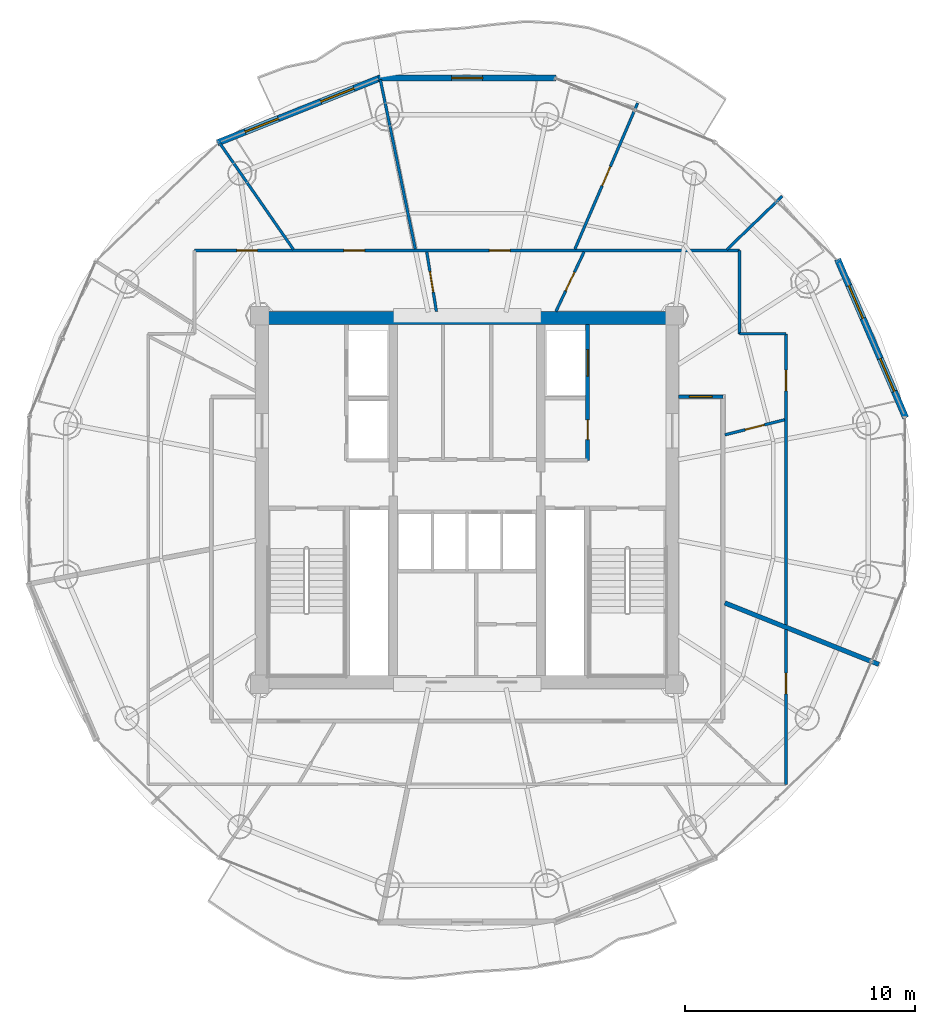
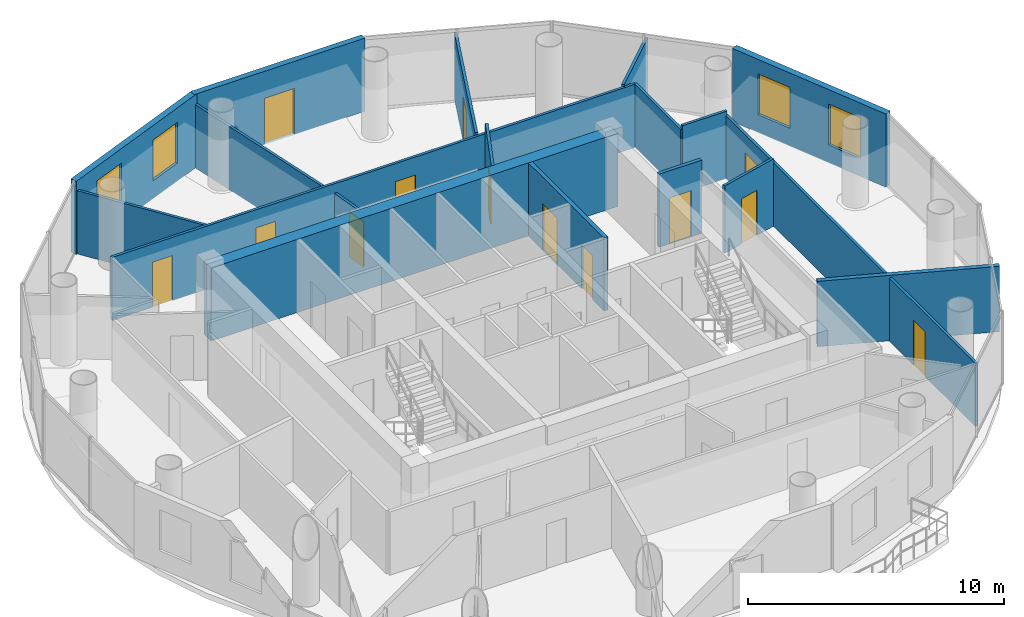
# One storey, part 19 of 23: 19 walls, 13 doors, 4 windows, 17 openings.
"""IFC4 building model written with IfcOpenShell, lengths in metres."""

from ifc_helpers import new_model, si_unit, direction, frame, frame_2d, origin, place, context, subcontext, project, spatial, rectangle, extrude, source, transform, mapped, material, layer, layer_set, type_object, element, fill, save


model = new_model("IFC4")

# Units and contexts
model_context = context("Model", 3, precision=1e-05, world=origin(), true_north=direction((-0.2419218956, 0.970295726276)))
body_context = subcontext(model_context, "Body", "Model", "MODEL_VIEW")
ifc_project = project(units=[si_unit("LENGTHUNIT", "METRE"), si_unit("AREAUNIT", "SQUARE_METRE"), si_unit("VOLUMEUNIT", "CUBIC_METRE"), si_unit("PLANEANGLEUNIT", "RADIAN"), si_unit("MASSUNIT", "GRAM", prefix="KILO")], contexts=[model_context])

# Site, building, storey
site_placement = place(None, origin())
site = spatial("IfcSite", under=ifc_project, at=site_placement, CompositionType="ELEMENT")
building_placement = place(site_placement, origin())
building = spatial("IfcBuilding", under=site, at=building_placement, Name="Cobrevalo Terracotta Tower", CompositionType="ELEMENT")
storey_placement = place(building_placement, frame((0.0, 0.0, 248.199951171875)))
storey = spatial("IfcBuildingStorey", under=building, at=storey_placement, Name="L65", CompositionType="ELEMENT", Elevation=248.199951171875)

# Wall
ifc_material_1 = material(Name="Concrete C50", Category="concrete")
ifc_layer_1 = layer(ifc_material_1, 0.550048828125)
ifc_layer_set_1 = layer_set([ifc_layer_1], Name="Concrete C50")
wall_type_1 = type_object("IfcWallType", Name="Core shear wall 550 mm Concrete C50", PredefinedType="SHEAR", material=ifc_layer_set_1)
wall_1_placement = place(storey_placement, frame((28.824951171875, 34.699951171875, 0.0), z_axis=(0.0, 0.0, 1.0), x_axis=(1.0, 0.0, 0.0)))
element("IfcWall", 1, at=wall_1_placement, inside=storey, type_object=wall_type_1, Name="L65 north core shear wall", PredefinedType="SHEAR", context=body_context, shape_type="SweptSolid", body=[
    extrude(rectangle(XDim=18.35009765625, YDim=0.550048828125, at=frame_2d((9.175048828125, 0.0))), origin(), (0.0, 0.0, 1.0), 3.489990234375),
])

# Wall, opening, door
ifc_material_2 = material(Name="Gypsum board on steel stud", Category="steel")
ifc_layer_2 = layer(ifc_material_2, 0.159912109375)
ifc_layer_set_2 = layer_set([ifc_layer_2], Name="Gypsum board on steel stud")
wall_type_2 = type_object("IfcWallType", Name="Fire-rated corridor acoustic partition wall 160 mm", PredefinedType="PARTITIONING", material=ifc_layer_set_2)
wall_2_placement = place(storey_placement, frame((47.175048828125, 31.280029296875, 0.0), z_axis=(0.0, 0.0, 1.0), x_axis=(1.0, 0.0, 0.0)))
wall_2 = element("IfcWall", 2, at=wall_2_placement, inside=storey, type_object=wall_type_2, Name="L65 interior partition IW-L65-COR-EN-CAP", PredefinedType="PARTITIONING", context=body_context, shape_type="SweptSolid", body=[
    extrude(rectangle(XDim=1.929931640625, YDim=0.159912109375, at=frame_2d((0.96484375, 0.0))), origin(), (0.0, 0.0, 1.0), 3.489990234375),
])
opening_1_placement = place(wall_2_placement, frame((0.47509765625, 0.0, 0.0)))
opening_1 = element("IfcOpeningElement", 3, at=opening_1_placement, cuts=wall_2, Name="Opening ID-05", PredefinedType="OPENING", context=body_context, shape_type="SweptSolid", body=[
    extrude(rectangle(XDim=0.97998046875, YDim=2.199951171875, at=frame_2d((0.489990234375, 1.10009765625))), frame((0.0, 0.08984375, 0.0), z_axis=(0.0, -1.0, 0.0), x_axis=(1.0, 0.0, 0.0)), (0.0, 0.0, 1.0), 0.179931640625),
])
ifc_material_3 = material(Name="Solid hardwood timber", Category="wood")
door_type_1 = type_object("IfcDoorType", Name="Residence entrance fire-rated acoustic timber door 980x2200 EI 60", OperationType="NOTDEFINED", PredefinedType="DOOR", material=ifc_material_3)
shared_shape_1 = source(origin(), body_context, "Body", "SweptSolid", [
    extrude(rectangle(XDim=0.97998046875, YDim=2.199951171875, at=frame_2d((0.489990234375, 1.10009765625))), frame((0.0, 0.02490234375, 0.0), z_axis=(0.0, -1.0, 0.0), x_axis=(1.0, 0.0, 0.0)), (0.0, 0.0, 1.0), 0.050048828125),
])
door_1_placement = place(opening_1_placement, origin())
door_1 = element("IfcDoor", 4, at=door_1_placement, inside=storey, type_object=door_type_1, Name="Flat L65A fire-rated apartment entrance door", OperationType="SINGLE_SWING_LEFT", OverallHeight=2.199951171875, OverallWidth=0.97998046875, PredefinedType="DOOR", context=body_context, shape_type="MappedRepresentation", body=[
    mapped(shared_shape_1, transform((0.0, 0.0, 0.0), scale=1.0)),
])
fill(opening_1, door_1)

# Wall, openings, doors
ifc_layer_3 = layer(ifc_material_2, 0.179931640625)
ifc_layer_set_3 = layer_set([ifc_layer_3], Name="Gypsum board on steel stud")
wall_type_3 = type_object("IfcWallType", Name="Fire-rated shaft & lobby acoustic partition wall 180 mm", PredefinedType="PARTITIONING", material=ifc_layer_set_3)
wall_3_placement = place(storey_placement, frame((43.22998046875, 28.52001953125, 0.0), z_axis=(0.0, 0.0, 1.0), x_axis=(0.0, 1.0, 0.0)))
wall_3 = element("IfcWall", 5, at=wall_3_placement, inside=storey, type_object=wall_type_3, Name="L65 interior partition IW-L65-FF2-E", PredefinedType="PARTITIONING", context=body_context, shape_type="SweptSolid", body=[
    extrude(rectangle(XDim=5.905029296875, YDim=0.179931640625, at=frame_2d((2.95263671875, 0.0))), origin(), (0.0, 0.0, 1.0), 3.489990234375),
])
opening_2_placement = place(wall_3_placement, frame((0.905029296875, 0.0, 0.0)))
opening_2 = element("IfcOpeningElement", 6, at=opening_2_placement, cuts=wall_3, Name="Opening ID-22", PredefinedType="OPENING", context=body_context, shape_type="SweptSolid", body=[
    extrude(rectangle(XDim=0.85009765625, YDim=2.10009765625, at=frame_2d((0.425048828125, 1.050048828125))), frame((0.0, 0.10009765625, 0.0), z_axis=(0.0, -1.0, 0.0), x_axis=(1.0, 0.0, 0.0)), (0.0, 0.0, 1.0), 0.199951171875),
])
opening_3_placement = place(wall_3_placement, frame((3.655029296875, 0.0, 0.0)))
opening_3 = element("IfcOpeningElement", 7, at=opening_3_placement, cuts=wall_3, Name="Opening LD-02", PredefinedType="OPENING", context=body_context, shape_type="SweptSolid", body=[
    extrude(rectangle(XDim=1.14990234375, YDim=2.199951171875, at=frame_2d((0.574951171875, 1.10009765625))), frame((0.0, 0.10009765625, 0.0), z_axis=(0.0, -1.0, 0.0), x_axis=(1.0, 0.0, 0.0)), (0.0, 0.0, 1.0), 0.199951171875),
])
ifc_material_4 = material(Name="Powder-coated steel", Category="steel")
door_type_2 = type_object("IfcDoorType", Name="Riser shaft & meter closet fire access door 850x2100 EI 60", OperationType="NOTDEFINED", PredefinedType="DOOR", material=ifc_material_4)
shared_shape_2 = source(origin(), body_context, "Body", "SweptSolid", [
    extrude(rectangle(XDim=0.85009765625, YDim=2.10009765625, at=frame_2d((0.425048828125, 1.050048828125))), frame((0.0, 0.02490234375, 0.0), z_axis=(0.0, -1.0, 0.0), x_axis=(1.0, 0.0, 0.0)), (0.0, 0.0, 1.0), 0.050048828125),
])
door_2_placement = place(opening_2_placement, frame((0.85009765625, 0.0, 0.0), z_axis=(0.0, 0.0, 1.0), x_axis=(-1.0, 0.0, 0.0)))
door_2 = element("IfcDoor", 8, at=door_2_placement, inside=storey, type_object=door_type_2, Name="L65 housekeeping store door", OperationType="SINGLE_SWING_RIGHT", OverallHeight=2.10009765625, OverallWidth=0.85009765625, PredefinedType="DOOR", context=body_context, shape_type="MappedRepresentation", body=[
    mapped(shared_shape_2, transform((0.0, 0.0, 0.0), scale=1.0)),
])
fill(opening_2, door_2)
ifc_material_5 = material(Name="Brushed stainless steel", Category="steel")
door_type_3 = type_object("IfcDoorType", Name="Firefighting lift landing bi-parting sliding door 1150x2200 EI 120", OperationType="DOUBLE_DOOR_SLIDING", PredefinedType="DOOR", material=ifc_material_5)
shared_shape_3 = source(origin(), body_context, "Body", "SweptSolid", [
    extrude(rectangle(XDim=1.14990234375, YDim=2.199951171875, at=frame_2d((0.574951171875, 1.10009765625))), frame((0.0, 0.02490234375, 0.0), z_axis=(0.0, -1.0, 0.0), x_axis=(1.0, 0.0, 0.0)), (0.0, 0.0, 1.0), 0.050048828125),
])
door_3_placement = place(opening_3_placement, origin())
door_3 = element("IfcDoor", 9, at=door_3_placement, inside=storey, type_object=door_type_3, Name="L65 lift landing door FF-2", OperationType="DOUBLE_DOOR_SLIDING", OverallHeight=2.199951171875, OverallWidth=1.14990234375, PredefinedType="DOOR", context=body_context, shape_type="MappedRepresentation", body=[
    mapped(shared_shape_3, transform((0.0, 0.0, 0.0), scale=1.0)),
])
fill(opening_3, door_3)

# Wall
ifc_material_6 = material(Name="Autoclaved aerated concrete block", Category="concrete")
ifc_layer_4 = layer(ifc_material_6, 0.199951171875)
ifc_layer_set_4 = layer_set([ifc_layer_4], Name="Autoclaved aerated concrete block")
wall_type_4 = type_object("IfcWallType", Name="Fire-rated stair, shaft & demising masonry wall 200 mm", PredefinedType="PARTITIONING", material=ifc_layer_set_4)
wall_4_placement = place(storey_placement, frame((49.18505859375, 22.334228515625, 0.0), z_axis=(0.0, 0.0, 1.0), x_axis=(0.928710518269, -0.370805573389, 0.0)))
element("IfcWall", 10, at=wall_4_placement, inside=storey, type_object=wall_type_4, Name="L65 interior partition IW-L65-DEM-1", PredefinedType="PARTITIONING", context=body_context, shape_type="SweptSolid", body=[
    extrude(rectangle(XDim=7.195068359375, YDim=0.199951171875, at=frame_2d((3.59765625, 0.0))), origin(), (0.0, 0.0, 1.0), 3.12109375),
])

# Wall, openings, windows
ifc_layer_5 = layer(ifc_material_6, 0.280029296875)
ifc_layer_set_5 = layer_set([ifc_layer_5], Name="Autoclaved aerated concrete block")
wall_type_5 = type_object("IfcWallType", Name="Insulated tower spandrel & pier wall 280 mm with terracotta rainscreen", PredefinedType="SOLIDWALL", material=ifc_layer_set_5)
wall_5_placement = place(storey_placement, frame((57.029296875, 30.368896484375, 0.0), z_axis=(0.0, 0.0, 1.0), x_axis=(-0.394816612978, 0.918759948037, 0.0)))
wall_5 = element("IfcWall", 11, at=wall_5_placement, inside=storey, type_object=wall_type_5, Name="L65 terracotta rainscreen pier wall S01", PredefinedType="SOLIDWALL", context=body_context, shape_type="SweptSolid", body=[
    extrude(rectangle(XDim=7.4853515625, YDim=0.280029296875, at=frame_2d((3.74267578125, 0.0))), origin(), (0.0, 0.0, 1.0), 3.489990234375),
])
opening_4_placement = place(wall_5_placement, frame((1.24609375, 0.0, 0.85009765625)))
opening_4 = element("IfcOpeningElement", 12, at=opening_4_placement, cuts=wall_5, Name="Opening WN-12", PredefinedType="OPENING", context=body_context, shape_type="SweptSolid", body=[
    extrude(rectangle(XDim=1.550048828125, YDim=1.949951171875, at=frame_2d((0.77490234375, 0.97509765625))), frame((0.0, 0.14990234375, 0.0), z_axis=(0.0, -1.0, 0.0), x_axis=(1.0, 0.0, 0.0)), (0.0, 0.0, 1.0), 0.300048828125),
])
opening_5_placement = place(wall_5_placement, frame((4.689208984375, 0.0, 0.85009765625)))
opening_5 = element("IfcOpeningElement", 13, at=opening_5_placement, cuts=wall_5, Name="Opening WN-12", PredefinedType="OPENING", context=body_context, shape_type="SweptSolid", body=[
    extrude(rectangle(XDim=1.550048828125, YDim=1.949951171875, at=frame_2d((0.77490234375, 0.97509765625))), frame((0.0, 0.14990234375, 0.0), z_axis=(0.0, -1.0, 0.0), x_axis=(1.0, 0.0, 0.0)), (0.0, 0.0, 1.0), 0.300048828125),
])
ifc_material_7 = material(Name="Solar-control low-E double glazing", Category="glass")
window_type = type_object("IfcWindowType", Name="Solar-control low-E aluminium window 1550x1950", PartitioningType="SINGLE_PANEL", PredefinedType="WINDOW", material=ifc_material_7)
shared_shape_4 = source(origin(), body_context, "Body", "SweptSolid", [
    extrude(rectangle(XDim=1.550048828125, YDim=1.949951171875, at=frame_2d((0.77490234375, 0.97509765625))), frame((0.0, 0.030029296875, 0.0), z_axis=(0.0, -1.0, 0.0), x_axis=(1.0, 0.0, 0.0)), (0.0, 0.0, 1.0), 0.06005859375),
])
window_1_placement = place(opening_4_placement, origin())
window_1 = element("IfcWindow", 14, at=window_1_placement, inside=storey, type_object=window_type, Name="L65 suite window S01A", OverallHeight=1.949951171875, OverallWidth=1.550048828125, PartitioningType="SINGLE_PANEL", PredefinedType="WINDOW", context=body_context, shape_type="MappedRepresentation", body=[
    mapped(shared_shape_4, transform((0.0, 0.0, 0.0), scale=1.0)),
])
fill(opening_4, window_1)
window_2_placement = place(opening_5_placement, origin())
window_2 = element("IfcWindow", 15, at=window_2_placement, inside=storey, type_object=window_type, Name="L65 suite window S01B", OverallHeight=1.949951171875, OverallWidth=1.550048828125, PartitioningType="SINGLE_PANEL", PredefinedType="WINDOW", context=body_context, shape_type="MappedRepresentation", body=[
    mapped(shared_shape_4, transform((0.0, 0.0, 0.0), scale=1.0)),
])
fill(opening_5, window_2)

wall_6_placement = place(storey_placement, frame((34.29541015625, 45.140869140625, 0.0), z_axis=(0.0, 0.0, 1.0), x_axis=(-0.928724272392, -0.370771123296, 0.0)))
wall_6 = element("IfcWall", 16, at=wall_6_placement, inside=storey, type_object=wall_type_5, Name="L65 terracotta rainscreen pier wall S05", PredefinedType="SOLIDWALL", context=body_context, shape_type="SweptSolid", body=[
    extrude(rectangle(XDim=7.678466796875, YDim=0.280029296875, at=frame_2d((3.83935546875, 0.0))), origin(), (0.0, 0.0, 1.0), 3.489990234375),
])
opening_6_placement = place(wall_6_placement, frame((1.298095703125, 0.0, 0.85009765625)))
opening_6 = element("IfcOpeningElement", 17, at=opening_6_placement, cuts=wall_6, Name="Opening WN-12", PredefinedType="OPENING", context=body_context, shape_type="SweptSolid", body=[
    extrude(rectangle(XDim=1.550048828125, YDim=1.949951171875, at=frame_2d((0.77490234375, 0.97509765625))), frame((0.0, 0.14990234375, 0.0), z_axis=(0.0, -1.0, 0.0), x_axis=(1.0, 0.0, 0.0)), (0.0, 0.0, 1.0), 0.300048828125),
])
opening_7_placement = place(wall_6_placement, frame((4.830078125, 0.0, 0.85009765625)))
opening_7 = element("IfcOpeningElement", 18, at=opening_7_placement, cuts=wall_6, Name="Opening WN-12", PredefinedType="OPENING", context=body_context, shape_type="SweptSolid", body=[
    extrude(rectangle(XDim=1.550048828125, YDim=1.949951171875, at=frame_2d((0.77490234375, 0.97509765625))), frame((0.0, 0.14990234375, 0.0), z_axis=(0.0, -1.0, 0.0), x_axis=(1.0, 0.0, 0.0)), (0.0, 0.0, 1.0), 0.300048828125),
])
window_3_placement = place(opening_6_placement, origin())
window_3 = element("IfcWindow", 19, at=window_3_placement, inside=storey, type_object=window_type, Name="L65 suite window S05A", OverallHeight=1.949951171875, OverallWidth=1.550048828125, PartitioningType="SINGLE_PANEL", PredefinedType="WINDOW", context=body_context, shape_type="MappedRepresentation", body=[
    mapped(shared_shape_4, transform((0.0, 0.0, 0.0), scale=1.0)),
])
fill(opening_6, window_3)
window_4_placement = place(opening_7_placement, origin())
window_4 = element("IfcWindow", 20, at=window_4_placement, inside=storey, type_object=window_type, Name="L65 suite window S05B", OverallHeight=1.949951171875, OverallWidth=1.550048828125, PartitioningType="SINGLE_PANEL", PredefinedType="WINDOW", context=body_context, shape_type="MappedRepresentation", body=[
    mapped(shared_shape_4, transform((0.0, 0.0, 0.0), scale=1.0)),
])
fill(opening_7, window_4)

# Wall, opening, door
ifc_layer_6 = layer(ifc_material_6, 0.260009765625)
ifc_layer_set_6 = layer_set([ifc_layer_6], Name="Autoclaved aerated concrete block")
wall_type_6 = type_object("IfcWallType", Name="Recessed balcony loggia insulated exterior wall 260 mm", PredefinedType="SOLIDWALL", material=ifc_layer_set_6)
wall_7_placement = place(storey_placement, frame((41.85888671875, 45.111328125, 0.0), z_axis=(0.0, 0.0, 1.0), x_axis=(-1.0, 0.0, 0.0)))
wall_7 = element("IfcWall", 21, at=wall_7_placement, inside=storey, type_object=wall_type_6, Name="L65 balcony loggia wall S04", PredefinedType="SOLIDWALL", context=body_context, shape_type="SweptSolid", body=[
    extrude(rectangle(XDim=7.7177734375, YDim=0.260009765625, at=frame_2d((3.85888671875, 0.0))), origin(), (0.0, 0.0, 1.0), 3.489990234375),
])
opening_8_placement = place(wall_7_placement, frame((3.183837890625, 0.0, 0.0)))
opening_8 = element("IfcOpeningElement", 22, at=opening_8_placement, cuts=wall_7, Name="Opening ED-05", PredefinedType="OPENING", context=body_context, shape_type="SweptSolid", body=[
    extrude(rectangle(XDim=1.35009765625, YDim=2.199951171875, at=frame_2d((0.675048828125, 1.10009765625))), frame((0.0, 0.14013671875, 0.0), z_axis=(0.0, -1.0, 0.0), x_axis=(1.0, 0.0, 0.0)), (0.0, 0.0, 1.0), 0.280029296875),
])
ifc_material_8 = material(Name="Anodized aluminium and laminated glass", Category="aluminium")
door_type_4 = type_object("IfcDoorType", Name="Suite balcony acoustic glazed terrace door 1350x2200", OperationType="NOTDEFINED", PredefinedType="DOOR", material=ifc_material_8)
shared_shape_5 = source(origin(), body_context, "Body", "SweptSolid", [
    extrude(rectangle(XDim=1.35009765625, YDim=2.199951171875, at=frame_2d((0.675048828125, 1.10009765625))), frame((0.0, 0.02490234375, 0.0), z_axis=(0.0, -1.0, 0.0), x_axis=(1.0, 0.0, 0.0)), (0.0, 0.0, 1.0), 0.050048828125),
])
door_4_placement = place(opening_8_placement, frame((1.35009765625, 0.0, 0.0), z_axis=(0.0, 0.0, 1.0), x_axis=(-1.0, 0.0, 0.0)))
door_4 = element("IfcDoor", 23, at=door_4_placement, inside=storey, type_object=door_type_4, Name="L65 glazed balcony terrace door 1", OperationType="SINGLE_SWING_LEFT", OverallHeight=2.199951171875, OverallWidth=1.35009765625, PredefinedType="DOOR", context=body_context, shape_type="MappedRepresentation", body=[
    mapped(shared_shape_5, transform((0.0, 0.0, 0.0), scale=1.0)),
])
fill(opening_8, door_4)

# Wall, openings, doors
ifc_layer_7 = layer(ifc_material_2, 0.1201171875)
ifc_layer_set_7 = layer_set([ifc_layer_7], Name="Gypsum board on steel stud")
wall_type_7 = type_object("IfcWallType", Name="Residential internal acoustic stud partition 120 mm", PredefinedType="PARTITIONING", material=ifc_layer_set_7)
wall_8_placement = place(storey_placement, frame((26.175048828125, 37.625, 0.0), z_axis=(0.0, 0.0, 1.0), x_axis=(1.0, 0.0, 0.0)))
wall_8 = element("IfcWall", 24, at=wall_8_placement, inside=storey, type_object=wall_type_7, Name="L65 interior partition IW-L65-U1-RING3_0", PredefinedType="PARTITIONING", context=body_context, shape_type="SweptSolid", body=[
    extrude(rectangle(XDim=23.64990234375, YDim=0.1201171875, at=frame_2d((11.824951171875, 0.0))), origin(), (0.0, 0.0, 1.0), 3.01513671875),
])
opening_9_placement = place(wall_8_placement, frame((12.791259765625, 0.0, 0.0)))
opening_9 = element("IfcOpeningElement", 25, at=opening_9_placement, cuts=wall_8, Name="Opening ID-12", PredefinedType="OPENING", context=body_context, shape_type="SweptSolid", body=[
    extrude(rectangle(XDim=0.89990234375, YDim=2.14990234375, at=frame_2d((0.449951171875, 1.074951171875))), frame((0.0, 0.070068359375, 0.0), z_axis=(0.0, -1.0, 0.0), x_axis=(1.0, 0.0, 0.0)), (0.0, 0.0, 1.0), 0.14013671875),
])
opening_10_placement = place(wall_8_placement, frame((6.47998046875, 0.0, 0.0)))
opening_10 = element("IfcOpeningElement", 26, at=opening_10_placement, cuts=wall_8, Name="Opening ID-12", PredefinedType="OPENING", context=body_context, shape_type="SweptSolid", body=[
    extrude(rectangle(XDim=0.89990234375, YDim=2.14990234375, at=frame_2d((0.449951171875, 1.074951171875))), frame((0.0, 0.070068359375, 0.0), z_axis=(0.0, -1.0, 0.0), x_axis=(1.0, 0.0, 0.0)), (0.0, 0.0, 1.0), 0.14013671875),
])
opening_11_placement = place(wall_8_placement, frame((1.83056640625, 0.0, 0.0)))
opening_11 = element("IfcOpeningElement", 27, at=opening_11_placement, cuts=wall_8, Name="Opening ID-12", PredefinedType="OPENING", context=body_context, shape_type="SweptSolid", body=[
    extrude(rectangle(XDim=0.89990234375, YDim=2.14990234375, at=frame_2d((0.449951171875, 1.074951171875))), frame((0.0, 0.070068359375, 0.0), z_axis=(0.0, -1.0, 0.0), x_axis=(1.0, 0.0, 0.0)), (0.0, 0.0, 1.0), 0.14013671875),
])
ifc_material_9 = material(Name="Engineered timber", Category="wood")
door_type_5 = type_object("IfcDoorType", Name="Internal residence & suite timber door 900x2150", OperationType="NOTDEFINED", PredefinedType="DOOR", material=ifc_material_9)
shared_shape_6 = source(origin(), body_context, "Body", "SweptSolid", [
    extrude(rectangle(XDim=0.89990234375, YDim=2.14990234375, at=frame_2d((0.449951171875, 1.074951171875))), frame((0.0, 0.02490234375, 0.0), z_axis=(0.0, -1.0, 0.0), x_axis=(1.0, 0.0, 0.0)), (0.0, 0.0, 1.0), 0.050048828125),
])
door_5_placement = place(opening_9_placement, origin())
door_5 = element("IfcDoor", 28, at=door_5_placement, inside=storey, type_object=door_type_5, Name="Flat L65A Penthouse Family Lounge internal door", OperationType="SINGLE_SWING_LEFT", OverallHeight=2.14990234375, OverallWidth=0.89990234375, PredefinedType="DOOR", context=body_context, shape_type="MappedRepresentation", body=[
    mapped(shared_shape_6, transform((0.0, 0.0, 0.0), scale=1.0)),
])
fill(opening_9, door_5)
door_6_placement = place(opening_10_placement, origin())
door_6 = element("IfcDoor", 29, at=door_6_placement, inside=storey, type_object=door_type_5, Name="Flat L65A Principal Guest Bedroom internal door", OperationType="SINGLE_SWING_LEFT", OverallHeight=2.14990234375, OverallWidth=0.89990234375, PredefinedType="DOOR", context=body_context, shape_type="MappedRepresentation", body=[
    mapped(shared_shape_6, transform((0.0, 0.0, 0.0), scale=1.0)),
])
fill(opening_10, door_6)
door_7_placement = place(opening_11_placement, origin())
door_7 = element("IfcDoor", 30, at=door_7_placement, inside=storey, type_object=door_type_5, Name="Flat L65A Penthouse Family Lounge internal door", OperationType="SINGLE_SWING_RIGHT", OverallHeight=2.14990234375, OverallWidth=0.89990234375, PredefinedType="DOOR", context=body_context, shape_type="MappedRepresentation", body=[
    mapped(shared_shape_6, transform((0.0, 0.0, 0.0), scale=1.0)),
])
fill(opening_11, door_7)

# Walls
wall_9_placement = place(storey_placement, frame((49.824951171875, 37.625, 0.0), z_axis=(0.0, 0.0, 1.0), x_axis=(0.0, -1.0, 0.0)))
element("IfcWall", 31, at=wall_9_placement, inside=storey, type_object=wall_type_7, Name="L65 interior partition IW-L65-U1-RING4_0", PredefinedType="PARTITIONING", context=body_context, shape_type="SweptSolid", body=[
    extrude(rectangle(XDim=3.614990234375, YDim=0.1201171875, at=frame_2d((1.8076171875, 0.0))), origin(), (0.0, 0.0, 1.0), 3.01513671875),
])
wall_10_placement = place(storey_placement, frame((49.824951171875, 34.010009765625, 0.0), z_axis=(0.0, 0.0, 1.0), x_axis=(1.0, 0.0, 0.0)))
element("IfcWall", 32, at=wall_10_placement, inside=storey, type_object=wall_type_7, Name="L65 interior partition IW-L65-U1-RING5_0", PredefinedType="PARTITIONING", context=body_context, shape_type="SweptSolid", body=[
    extrude(rectangle(XDim=2.010009765625, YDim=0.1201171875, at=frame_2d((1.0048828125, 0.0))), origin(), (0.0, 0.0, 1.0), 3.208984375),
])

# Wall, opening, door
wall_11_placement = place(storey_placement, frame((51.8349609375, 34.010009765625, 0.0), z_axis=(0.0, 0.0, 1.0), x_axis=(0.0, -1.0, 0.0)))
wall_11 = element("IfcWall", 33, at=wall_11_placement, inside=storey, type_object=wall_type_7, Name="L65 interior partition IW-L65-U1-RING6_0", PredefinedType="PARTITIONING", context=body_context, shape_type="SweptSolid", body=[
    extrude(rectangle(XDim=12.6318359375, YDim=0.1201171875, at=frame_2d((6.31591796875, 0.0))), origin(), (0.0, 0.0, 1.0), 3.01513671875),
])
opening_12_placement = place(wall_11_placement, frame((1.5703125, 0.0, 0.0)))
opening_12 = element("IfcOpeningElement", 34, at=opening_12_placement, cuts=wall_11, Name="Opening ID-12", PredefinedType="OPENING", context=body_context, shape_type="SweptSolid", body=[
    extrude(rectangle(XDim=0.89990234375, YDim=2.14990234375, at=frame_2d((0.449951171875, 1.074951171875))), frame((0.0, 0.070068359375, 0.0), z_axis=(0.0, -1.0, 0.0), x_axis=(1.0, 0.0, 0.0)), (0.0, 0.0, 1.0), 0.14013671875),
])
door_8_placement = place(opening_12_placement, origin())
door_8 = element("IfcDoor", 35, at=door_8_placement, inside=storey, type_object=door_type_5, Name="Flat L65A Penthouse Living and Dining Room internal door", OperationType="SINGLE_SWING_LEFT", OverallHeight=2.14990234375, OverallWidth=0.89990234375, PredefinedType="DOOR", context=body_context, shape_type="MappedRepresentation", body=[
    mapped(shared_shape_6, transform((0.0, 0.0, 0.0), scale=1.0)),
])
fill(opening_12, door_8)

# Wall
wall_12_placement = place(storey_placement, frame((49.27490234375, 37.66796875, 0.0), z_axis=(0.0, 0.0, 1.0), x_axis=(0.719954096891, 0.694021684366, 0.0)))
element("IfcWall", 36, at=wall_12_placement, inside=storey, type_object=wall_type_7, Name="L65 interior partition IW-L65-U1-ORAD1", PredefinedType="PARTITIONING", context=body_context, shape_type="SweptSolid", body=[
    extrude(rectangle(XDim=3.332763671875, YDim=0.1201171875, at=frame_2d((1.66650390625, 0.0))), origin(), (0.0, 0.0, 1.0), 3.12109375),
])

# Wall, opening, door
wall_13_placement = place(storey_placement, frame((42.67626953125, 37.681884765625, 0.0), z_axis=(0.0, 0.0, 1.0), x_axis=(0.394777489933, 0.918776759307, 0.0)))
wall_13 = element("IfcWall", 37, at=wall_13_placement, inside=storey, type_object=wall_type_7, Name="L65 interior partition IW-L65-U1-ORAD2M1", PredefinedType="PARTITIONING", context=body_context, shape_type="SweptSolid", body=[
    extrude(rectangle(XDim=6.899658203125, YDim=0.1201171875, at=frame_2d((3.44970703125, 0.0))), origin(), (0.0, 0.0, 1.0), 3.12109375),
])
opening_13_placement = place(wall_13_placement, frame((3.0, 0.0, 0.0)))
opening_13 = element("IfcOpeningElement", 38, at=opening_13_placement, cuts=wall_13, Name="Opening ID-12", PredefinedType="OPENING", context=body_context, shape_type="SweptSolid", body=[
    extrude(rectangle(XDim=0.89990234375, YDim=2.14990234375, at=frame_2d((0.449951171875, 1.074951171875))), frame((0.0, 0.070068359375, 0.0), z_axis=(0.0, -1.0, 0.0), x_axis=(1.0, 0.0, 0.0)), (0.0, 0.0, 1.0), 0.14013671875),
])
door_9_placement = place(opening_13_placement, frame((0.89990234375, 0.0, 0.0), z_axis=(0.0, 0.0, 1.0), x_axis=(-1.0, 0.0, 0.0)))
door_9 = element("IfcDoor", 39, at=door_9_placement, inside=storey, type_object=door_type_5, Name="Flat L65A Master Bedroom internal door", OperationType="SINGLE_SWING_RIGHT", OverallHeight=2.14990234375, OverallWidth=0.89990234375, PredefinedType="DOOR", context=body_context, shape_type="MappedRepresentation", body=[
    mapped(shared_shape_6, transform((0.0, 0.0, 0.0), scale=1.0)),
])
fill(opening_13, door_9)

# Walls
wall_14_placement = place(storey_placement, frame((35.753662109375, 37.685791015625, 0.0), z_axis=(0.0, 0.0, 1.0), x_axis=(-0.202105877204, 0.979363678313, 0.0)))
element("IfcWall", 40, at=wall_14_placement, inside=storey, type_object=wall_type_7, Name="L65 interior partition IW-L65-U1-ORAD2", PredefinedType="PARTITIONING", context=body_context, shape_type="SweptSolid", body=[
    extrude(rectangle(XDim=7.512451171875, YDim=0.1201171875, at=frame_2d((3.75634765625, 0.0))), origin(), (0.0, 0.0, 1.0), 3.01513671875),
])
wall_15_placement = place(storey_placement, frame((30.4609375, 37.676025390625, 0.0), z_axis=(0.0, 0.0, 1.0), x_axis=(-0.569689482466, 0.821860020665, 0.0)))
element("IfcWall", 41, at=wall_15_placement, inside=storey, type_object=wall_type_7, Name="L65 interior partition IW-L65-U1-ORAD3M1", PredefinedType="PARTITIONING", context=body_context, shape_type="SweptSolid", body=[
    extrude(rectangle(XDim=5.585205078125, YDim=0.1201171875, at=frame_2d((2.79248046875, 0.0))), origin(), (0.0, 0.0, 1.0), 3.01513671875),
])

# Wall, opening, door
wall_16_placement = place(storey_placement, frame((49.18505859375, 29.626953125, 0.0), z_axis=(0.0, 0.0, 1.0), x_axis=(0.969515658159, 0.2450293627, 0.0)))
wall_16 = element("IfcWall", 42, at=wall_16_placement, inside=storey, type_object=wall_type_7, Name="L65 interior partition IW-L65-U1-IRAD1", PredefinedType="PARTITIONING", context=body_context, shape_type="SweptSolid", body=[
    extrude(rectangle(XDim=2.67138671875, YDim=0.1201171875, at=frame_2d((1.335693359375, 0.0))), origin(), (0.0, 0.0, 1.0), 3.208984375),
])
opening_14_placement = place(wall_16_placement, frame((0.90576171875, 0.0, 0.0)))
opening_14 = element("IfcOpeningElement", 43, at=opening_14_placement, cuts=wall_16, Name="Opening ID-19", PredefinedType="OPENING", context=body_context, shape_type="SweptSolid", body=[
    extrude(rectangle(XDim=0.860107421875, YDim=2.14990234375, at=frame_2d((0.43017578125, 1.074951171875))), frame((0.0, 0.070068359375, 0.0), z_axis=(0.0, -1.0, 0.0), x_axis=(1.0, 0.0, 0.0)), (0.0, 0.0, 1.0), 0.14013671875),
])
ifc_material_10 = material(Name="Moisture-sealed timber", Category="wood")
door_type_6 = type_object("IfcDoorType", Name="Suite bathroom internal timber door 860x2150", OperationType="NOTDEFINED", PredefinedType="DOOR", material=ifc_material_10)
shared_shape_7 = source(origin(), body_context, "Body", "SweptSolid", [
    extrude(rectangle(XDim=0.860107421875, YDim=2.14990234375, at=frame_2d((0.43017578125, 1.074951171875))), frame((0.0, 0.02490234375, 0.0), z_axis=(0.0, -1.0, 0.0), x_axis=(1.0, 0.0, 0.0)), (0.0, 0.0, 1.0), 0.050048828125),
])
door_10_placement = place(opening_14_placement, frame((0.860107421875, 0.0, 0.0), z_axis=(0.0, 0.0, 1.0), x_axis=(-1.0, 0.0, 0.0)))
door_10 = element("IfcDoor", 44, at=door_10_placement, inside=storey, type_object=door_type_6, Name="Flat L65A Primary Bathroom internal door", OperationType="SINGLE_SWING_RIGHT", OverallHeight=2.14990234375, OverallWidth=0.860107421875, PredefinedType="DOOR", context=body_context, shape_type="MappedRepresentation", body=[
    mapped(shared_shape_7, transform((0.0, 0.0, 0.0), scale=1.0)),
])
fill(opening_14, door_10)

wall_17_placement = place(storey_placement, frame((41.854248046875, 34.976806640625, 0.0), z_axis=(0.0, 0.0, 1.0), x_axis=(0.42640827804, 0.904530806783, 0.0)))
wall_17 = element("IfcWall", 45, at=wall_17_placement, inside=storey, type_object=wall_type_7, Name="L65 interior partition IW-L65-U1-IRAD2", PredefinedType="PARTITIONING", context=body_context, shape_type="SweptSolid", body=[
    extrude(rectangle(XDim=2.86572265625, YDim=0.1201171875, at=frame_2d((1.432861328125, 0.0))), origin(), (0.0, 0.0, 1.0), 3.489990234375),
])
opening_15_placement = place(wall_17_placement, frame((0.98291015625, 0.0, 0.0)))
opening_15 = element("IfcOpeningElement", 46, at=opening_15_placement, cuts=wall_17, Name="Opening ID-12", PredefinedType="OPENING", context=body_context, shape_type="SweptSolid", body=[
    extrude(rectangle(XDim=0.89990234375, YDim=2.14990234375, at=frame_2d((0.449951171875, 1.074951171875))), frame((0.0, 0.070068359375, 0.0), z_axis=(0.0, -1.0, 0.0), x_axis=(1.0, 0.0, 0.0)), (0.0, 0.0, 1.0), 0.14013671875),
])
door_11_placement = place(opening_15_placement, origin())
door_11 = element("IfcDoor", 47, at=door_11_placement, inside=storey, type_object=door_type_5, Name="Flat L65A Kitchen internal door", OperationType="SINGLE_SWING_RIGHT", OverallHeight=2.14990234375, OverallWidth=0.89990234375, PredefinedType="DOOR", context=body_context, shape_type="MappedRepresentation", body=[
    mapped(shared_shape_6, transform((0.0, 0.0, 0.0), scale=1.0)),
])
fill(opening_15, door_11)

wall_18_placement = place(storey_placement, frame((36.670166015625, 34.97705078125, 0.0), z_axis=(0.0, 0.0, 1.0), x_axis=(-0.160605953374, 0.98701860557, 0.0)))
wall_18 = element("IfcWall", 48, at=wall_18_placement, inside=storey, type_object=wall_type_7, Name="L65 interior partition IW-L65-U1-IRAD3", PredefinedType="PARTITIONING", context=body_context, shape_type="SweptSolid", body=[
    extrude(rectangle(XDim=2.62060546875, YDim=0.1201171875, at=frame_2d((1.310302734375, 0.0))), origin(), (0.0, 0.0, 1.0), 2.574951171875),
])
opening_16_placement = place(wall_18_placement, frame((0.8603515625, 0.0, 0.0)))
opening_16 = element("IfcOpeningElement", 49, at=opening_16_placement, cuts=wall_18, Name="Opening ID-12", PredefinedType="OPENING", context=body_context, shape_type="SweptSolid", body=[
    extrude(rectangle(XDim=0.89990234375, YDim=2.14990234375, at=frame_2d((0.449951171875, 1.074951171875))), frame((0.0, 0.070068359375, 0.0), z_axis=(0.0, -1.0, 0.0), x_axis=(1.0, 0.0, 0.0)), (0.0, 0.0, 1.0), 0.14013671875),
])
door_12_placement = place(opening_16_placement, origin())
door_12 = element("IfcDoor", 50, at=door_12_placement, inside=storey, type_object=door_type_5, Name="Flat L65A Private Library Meeting Room internal door", OperationType="SINGLE_SWING_RIGHT", OverallHeight=2.14990234375, OverallWidth=0.89990234375, PredefinedType="DOOR", context=body_context, shape_type="MappedRepresentation", body=[
    mapped(shared_shape_6, transform((0.0, 0.0, 0.0), scale=1.0)),
])
fill(opening_16, door_12)

wall_19_placement = place(storey_placement, frame((51.8349609375, 21.174072265625, 0.0), z_axis=(0.0, 0.0, 1.0), x_axis=(0.0, -1.0, 0.0)))
wall_19 = element("IfcWall", 51, at=wall_19_placement, inside=storey, type_object=wall_type_7, Name="L65 interior partition IW-L65-U3-RING0_0", PredefinedType="PARTITIONING", context=body_context, shape_type="SweptSolid", body=[
    extrude(rectangle(XDim=6.708984375, YDim=0.1201171875, at=frame_2d((3.3544921875, 0.0))), origin(), (0.0, 0.0, 1.0), 3.01513671875),
])
opening_17_placement = place(wall_19_placement, frame((1.88818359375, 0.0, 0.0)))
opening_17 = element("IfcOpeningElement", 52, at=opening_17_placement, cuts=wall_19, Name="Opening ID-12", PredefinedType="OPENING", context=body_context, shape_type="SweptSolid", body=[
    extrude(rectangle(XDim=0.89990234375, YDim=2.14990234375, at=frame_2d((0.449951171875, 1.074951171875))), frame((0.0, 0.070068359375, 0.0), z_axis=(0.0, -1.0, 0.0), x_axis=(1.0, 0.0, 0.0)), (0.0, 0.0, 1.0), 0.14013671875),
])
door_13_placement = place(opening_17_placement, origin())
door_13 = element("IfcDoor", 53, at=door_13_placement, inside=storey, type_object=door_type_5, Name="Flat L65C Master Bedroom internal door", OperationType="SINGLE_SWING_LEFT", OverallHeight=2.14990234375, OverallWidth=0.89990234375, PredefinedType="DOOR", context=body_context, shape_type="MappedRepresentation", body=[
    mapped(shared_shape_6, transform((0.0, 0.0, 0.0), scale=1.0)),
])
fill(opening_17, door_13)

save(model, "model.ifc")
